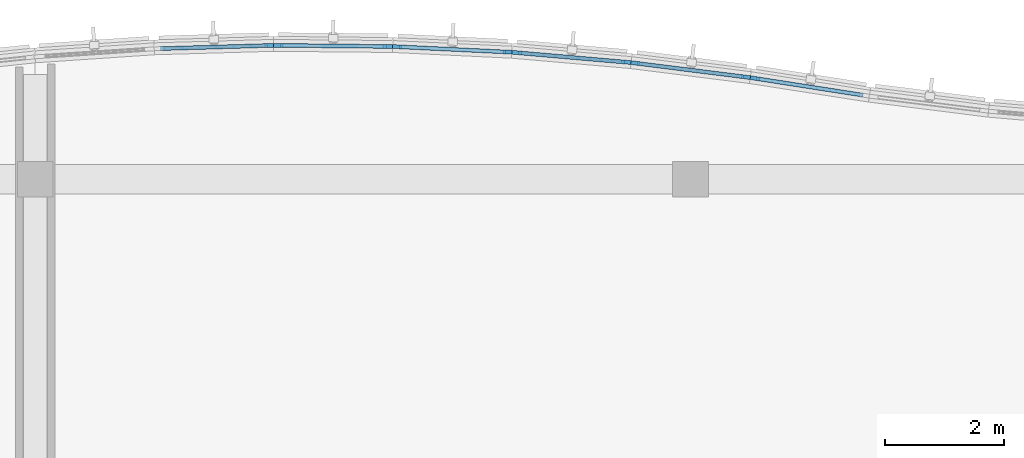
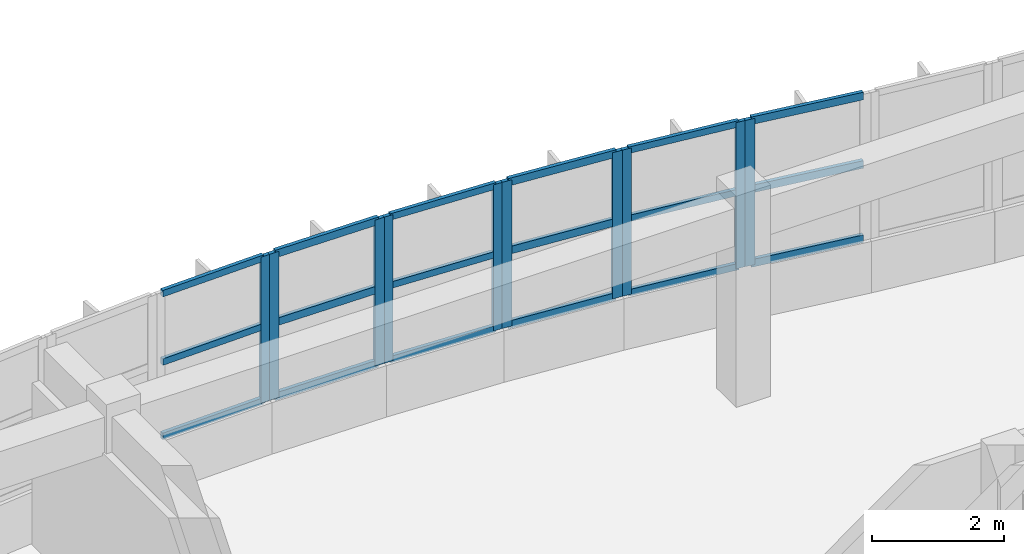
# One storey, part 27 of 89: 28 members, 6 elements without a shape of their own.
"""IFC4 building model written with IfcOpenShell, lengths in metres."""

import ifcopenshell
import ifcopenshell.guid

model = None  # the IFC model being written
_history = None  # IfcOwnerHistory: only IFC2X3 demands one
_inside = {}  # id of a spatial element -> (the spatial element, [elements in it])
_under = {}  # id of a project, library or spatial element -> (it, [spatial elements below it])
_declared = {}  # id of a project -> (the project, [libraries it declares])
_typed = {}  # id of a type object -> (the type object, [elements of that type])
_made_of = {}  # id of a material, layer set ... -> (it, [elements and type objects made of it])


def new_model(schema):
    """Start an empty IFC model of exactly this schema.

    Asked for "IFC4X3", IfcOpenShell would pick the latest addendum, in which some entities
    have other attributes; the version numbers below select the first issue.
    IFC2X3 requires an IfcOwnerHistory on every rooted entity: one is made here for all.
    """
    global model, _history
    if schema == "IFC4X3":
        model = ifcopenshell.file(schema_version=(4, 3, 0, 0))
    else:
        model = ifcopenshell.file(schema=schema)
    _inside.clear()
    _under.clear()
    _declared.clear()
    _typed.clear()
    _made_of.clear()
    _history = None
    if model.schema == "IFC2X3":
        org = make("IfcOrganization", Name="unknown")
        user = make(
            "IfcPersonAndOrganization",
            ThePerson=make("IfcPerson", FamilyName="unknown"),
            TheOrganization=org,
        )
        app = make(
            "IfcApplication",
            ApplicationDeveloper=org,
            Version="unknown",
            ApplicationFullName="unknown",
            ApplicationIdentifier="unknown",
        )
        _history = make(
            "IfcOwnerHistory",
            OwningUser=user,
            OwningApplication=app,
            ChangeAction="ADDED",
            CreationDate=0,
        )
    return model


def make(cls, **values):
    """One entity of the class cls with the attributes given. An attribute that is None is left unset."""
    return model.create_entity(
        cls, **{name: value for name, value in values.items() if value is not None}
    )


def rooted(cls, **values):
    """An entity with a GlobalId (a new one), such as an element, a storey or a relation."""
    return make(cls, GlobalId=ifcopenshell.guid.new(), OwnerHistory=_history, **values)


def si_unit(unit_type, name, prefix=None):
    """IfcSIUnit, for example si_unit("LENGTHUNIT", "METRE", prefix="MILLI")."""
    return make("IfcSIUnit", UnitType=unit_type, Prefix=prefix, Name=name)


def assignment(units):
    """IfcUnitAssignment: the units of a project."""
    return None if units is None else make("IfcUnitAssignment", Units=units)


def point(xyz):
    """IfcCartesianPoint."""
    return None if xyz is None else make("IfcCartesianPoint", Coordinates=xyz)


def direction(xyz):
    """IfcDirection."""
    return None if xyz is None else make("IfcDirection", DirectionRatios=xyz)


def frame(location, z_axis=None, x_axis=None):
    """IfcAxis2Placement3D, a coordinate frame: its origin and axes. An axis left out is left unset."""
    return make(
        "IfcAxis2Placement3D",
        Location=point(location),
        Axis=direction(z_axis),
        RefDirection=direction(x_axis),
    )


def frame_2d(location, x_axis=None):
    """IfcAxis2Placement2D, a coordinate frame in the plane: its origin and x axis."""
    return make(
        "IfcAxis2Placement2D", Location=point(location), RefDirection=direction(x_axis)
    )


def origin():
    """The frame at (0, 0, 0) with its axes left unset."""
    return frame((0.0, 0.0, 0.0))


def origin_2d():
    """The frame at (0, 0) in the plane with its x axis left unset."""
    return frame_2d((0.0, 0.0))


def place(relative_to, where):
    """IfcLocalPlacement: puts the frame where relative to a parent placement (None: the world)."""
    return make(
        "IfcLocalPlacement", PlacementRelTo=relative_to, RelativePlacement=where
    )


def context(
    kind, dimensions, precision=None, world=None, true_north=None, identifier=None
):
    """IfcGeometricRepresentationContext, for example the 3D "Model" context."""
    return make(
        "IfcGeometricRepresentationContext",
        ContextIdentifier=identifier,
        ContextType=kind,
        CoordinateSpaceDimension=dimensions,
        Precision=precision,
        WorldCoordinateSystem=world,
        TrueNorth=true_north,
    )


def subcontext(parent, identifier, kind, view, scale=None):
    """IfcGeometricRepresentationSubContext, for example "Body" below "Model"."""
    return make(
        "IfcGeometricRepresentationSubContext",
        ContextIdentifier=identifier,
        ContextType=kind,
        ParentContext=parent,
        TargetScale=scale,
        TargetView=view,
    )


def project(units=None, contexts=None):
    """IfcProject with its units and contexts."""
    return rooted(
        "IfcProject",
        Name="project",
        RepresentationContexts=contexts,
        UnitsInContext=assignment(units),
    )


def spatial(cls, under=None, at=None, **own):
    """A site, building, storey or space (cls), placed at a placement, below another one or the project."""
    s = rooted(cls, ObjectPlacement=at, **own)
    if under is not None:
        _under.setdefault(under.id(), (under, []))[1].append(s)
    return s


def profile(cls, at=None, kind="AREA", **sizes):
    """A parametric profile (cls). Its sizes go by their IFC names, for example OverallWidth=200.0."""
    return make(cls, ProfileType=kind, Position=at, **sizes)


def rectangle(**sizes):
    """IfcRectangleProfileDef."""
    return profile("IfcRectangleProfileDef", **sizes)


def extrude(swept, where, along, depth):
    """IfcExtrudedAreaSolid: the profile swept, set in the frame where, extruded along a direction by depth."""
    return make(
        "IfcExtrudedAreaSolid",
        SweptArea=swept,
        Position=where,
        ExtrudedDirection=direction(along),
        Depth=depth,
    )


def shape(context_of_items, identifier, shape_type, items):
    """IfcShapeRepresentation: the items that make up one representation, for example the "Body"."""
    return make(
        "IfcShapeRepresentation",
        ContextOfItems=context_of_items,
        RepresentationIdentifier=identifier,
        RepresentationType=shape_type,
        Items=items,
    )


def material(Name=None, Category=None):
    """IfcMaterial."""
    return make("IfcMaterial", Name=Name, Category=Category)


def layer(
    of_material, thickness, ventilated=None, Name=None, Category=None, Priority=None
):
    """IfcMaterialLayer: one layer of a wall or slab, of a material (None: an air gap)."""
    return make(
        "IfcMaterialLayer",
        Material=of_material,
        LayerThickness=thickness,
        IsVentilated=ventilated,
        Name=Name,
        Category=Category,
        Priority=Priority,
    )


def layer_set(layers, Name=None):
    """IfcMaterialLayerSet."""
    return make("IfcMaterialLayerSet", MaterialLayers=layers, LayerSetName=Name)


def material_profile(
    of_material, cross_section, Name=None, Category=None, Priority=None
):
    """IfcMaterialProfile: a cross section and its material."""
    return make(
        "IfcMaterialProfile",
        Name=Name,
        Material=of_material,
        Profile=cross_section,
        Priority=Priority,
        Category=Category,
    )


def profile_set(profiles, Name=None, composite=None):
    """IfcMaterialProfileSet."""
    return make(
        "IfcMaterialProfileSet",
        Name=Name,
        MaterialProfiles=profiles,
        CompositeProfile=composite,
    )


def made_of(thing, what):
    """Note that an element or type object is made of a material, layer set ...; save() writes the relation."""
    if what is not None:
        _made_of.setdefault(what.id(), (what, []))[1].append(thing)
    return thing


def type_object(cls, material=None, **own):
    """A type object (cls), such as IfcWallType, which elements share."""
    return made_of(rooted(cls, **own), material)


def element(
    cls,
    number,
    at=None,
    inside=None,
    cuts=None,
    type_object=None,
    material=None,
    context=None,
    identifier="Body",
    shape_type=None,
    held_by="IfcProductDefinitionShape",
    body=None,
    shapes=None,
    **own,
):
    """One element of the class cls, such as IfcWall. Its Tag is "e" and its number.

    at: its placement. inside: the storey or other place that contains it. cuts: it is an
    opening in that element (IfcRelVoidsElement). A single representation is given by context,
    identifier, shape_type and body (its items); several are given by shapes. held_by: the class
    of the entity that holds the representations. save() writes the other relations.
    """
    e = rooted(cls, Tag="e%d" % number, ObjectPlacement=at, **own)
    if body is not None:
        shapes = [shape(context, identifier, shape_type, body)]
    if shapes is not None:
        e.Representation = make(held_by, Representations=shapes)
    if inside is not None:
        _inside.setdefault(inside.id(), (inside, []))[1].append(e)
    if cuts is not None:
        rooted(
            "IfcRelVoidsElement", RelatingBuildingElement=cuts, RelatedOpeningElement=e
        )
    if type_object is not None:
        _typed.setdefault(type_object.id(), (type_object, []))[1].append(e)
    return made_of(e, material)


def aggregate(whole, parts):
    """IfcRelAggregates: a whole, such as a stair, and the parts it consists of."""
    return rooted("IfcRelAggregates", RelatingObject=whole, RelatedObjects=parts)


def save(model, path):
    """Write the relations noted so far, then the file.

    IfcRelAggregates (storeys below a building ...), IfcRelContainedInSpatialStructure (elements
    in a storey), IfcRelDefinesByType, IfcRelAssociatesMaterial and IfcRelDeclares: one each for
    every whole, place, type object, material and project.
    """
    for whole, parts in _under.values():
        aggregate(whole, parts)
    for where, things in _inside.values():
        rooted(
            "IfcRelContainedInSpatialStructure",
            RelatedElements=things,
            RelatingStructure=where,
        )
    for kind, things in _typed.values():
        rooted("IfcRelDefinesByType", RelatedObjects=things, RelatingType=kind)
    for what, things in _made_of.values():
        rooted("IfcRelAssociatesMaterial", RelatedObjects=things, RelatingMaterial=what)
    for by, libraries in _declared.values():
        rooted("IfcRelDeclares", RelatingContext=by, RelatedDefinitions=libraries)
    model.write(path)


model = new_model("IFC4")

# Units and contexts
model_context = context("Model", 3, precision=1e-05, world=origin(), true_north=direction((0.0, 1.0)))
body_context = subcontext(model_context, "Body", "Model", "MODEL_VIEW")
ifc_project = project(units=[si_unit("LENGTHUNIT", "METRE"), si_unit("AREAUNIT", "SQUARE_METRE"), si_unit("VOLUMEUNIT", "CUBIC_METRE"), si_unit("PLANEANGLEUNIT", "RADIAN"), si_unit("MASSUNIT", "GRAM", prefix="KILO")], contexts=[model_context])

# Site, building, storey
site_placement = place(None, origin())
site = spatial("IfcSite", under=ifc_project, at=site_placement, CompositionType="ELEMENT")
building_placement = place(site_placement, origin())
building = spatial("IfcBuilding", under=site, at=building_placement, Name="Tonlespit Floodbar School", CompositionType="ELEMENT")
storey_placement = place(building_placement, frame((0.0, 0.0, 4.5)))
storey = spatial("IfcBuildingStorey", under=building, at=storey_placement, Name="L01", CompositionType="ELEMENT", Elevation=4.5)

# Curtain wall, member
ifc_material = material(Name="Anodised Aluminium", Category="aluminium")
ifc_layer_1 = layer(ifc_material, 0.159912109375)
ifc_layer_set_1 = layer_set([ifc_layer_1], Name="Anodised Aluminium")
curtain_wall_type_1 = type_object("IfcCurtainWallType", Name="CurtainWall_1900x2700", PredefinedType="NOTDEFINED", material=ifc_layer_set_1)
curtain_wall_1_placement = place(storey_placement, origin())
curtain_wall_1 = element("IfcCurtainWall", 1, at=curtain_wall_1_placement, inside=storey, type_object=curtain_wall_type_1, Name="L01 unitised curtain wall 0378", PredefinedType="NOTDEFINED")
ifc_material_profile_1 = material_profile(ifc_material, rectangle(XDim=0.06494140625, YDim=0.14990234375, at=origin_2d()), Name="ALU M65x150")
ifc_profile_set_1 = profile_set([ifc_material_profile_1], Name="Anodised Aluminium")
member_type_1 = type_object("IfcMemberType", Name="CW_Mullion_65x150", PredefinedType="MULLION", material=ifc_profile_set_1)
member_1_placement = place(storey_placement, frame((119.927490234375, 122.244873046875, 0.949951171875), z_axis=(0.0, 0.0, 1.0), x_axis=(-0.028790144226, 0.999585477883, 0.0)))
member_1 = element("IfcMember", 2, at=member_1_placement, type_object=member_type_1, Name="CW-05 mullion 2", PredefinedType="MULLION", context=body_context, shape_type="SweptSolid", body=[
    extrude(rectangle(XDim=0.06494140625, YDim=0.14990234375, at=origin_2d()), origin(), (0.0, 0.0, 1.0), 2.699951171875),
])

# Curtain wall, members
curtain_wall_2_placement = place(storey_placement, origin())
curtain_wall_2 = element("IfcCurtainWall", 3, at=curtain_wall_2_placement, inside=storey, type_object=curtain_wall_type_1, Name="L01 unitised curtain wall 0380", PredefinedType="NOTDEFINED")
member_2_placement = place(storey_placement, frame((122.072509765625, 122.224365234375, 0.949951171875), z_axis=(0.0, 0.0, 1.0), x_axis=(0.048121270216, 0.998841500616, 0.0)))
member_2 = element("IfcMember", 4, at=member_2_placement, type_object=member_type_1, Name="CW-05 mullion 1", PredefinedType="MULLION", context=body_context, shape_type="SweptSolid", body=[
    extrude(rectangle(XDim=0.06494140625, YDim=0.14990234375, at=origin_2d()), origin(), (0.0, 0.0, 1.0), 2.699951171875),
])
member_3_placement = place(storey_placement, frame((123.927490234375, 122.135009765625, 0.949951171875), z_axis=(0.0, 0.0, 1.0), x_axis=(0.048121270216, 0.998841500616, 0.0)))
member_3 = element("IfcMember", 5, at=member_3_placement, type_object=member_type_1, Name="CW-05 mullion 2", PredefinedType="MULLION", context=body_context, shape_type="SweptSolid", body=[
    extrude(rectangle(XDim=0.06494140625, YDim=0.14990234375, at=origin_2d()), origin(), (0.0, 0.0, 1.0), 2.699951171875),
])

ifc_layer_2 = layer(ifc_material, 0.159912109375)
ifc_layer_set_2 = layer_set([ifc_layer_2], Name="Anodised Aluminium")
curtain_wall_type_2 = type_object("IfcCurtainWallType", Name="CurtainWall_1950x2700", PredefinedType="NOTDEFINED", material=ifc_layer_set_2)
curtain_wall_3_placement = place(storey_placement, origin())
curtain_wall_3 = element("IfcCurtainWall", 6, at=curtain_wall_3_placement, inside=storey, type_object=curtain_wall_type_2, Name="L01 unitised curtain wall 0382", PredefinedType="NOTDEFINED")
member_4_placement = place(storey_placement, frame((126.072021484375, 121.94873046875, 0.949951171875), z_axis=(0.0, 0.0, 1.0), x_axis=(0.125013803299, 0.992155002499, 0.0)))
member_4 = element("IfcMember", 7, at=member_4_placement, type_object=member_type_1, Name="CW-04 mullion 1", PredefinedType="MULLION", context=body_context, shape_type="SweptSolid", body=[
    extrude(rectangle(XDim=0.06494140625, YDim=0.14990234375, at=origin_2d()), origin(), (0.0, 0.0, 1.0), 2.699951171875),
])
member_5_placement = place(storey_placement, frame((127.927978515625, 121.71484375, 0.949951171875), z_axis=(0.0, 0.0, 1.0), x_axis=(0.125013803299, 0.992155002499, 0.0)))
member_5 = element("IfcMember", 8, at=member_5_placement, type_object=member_type_1, Name="CW-04 mullion 2", PredefinedType="MULLION", context=body_context, shape_type="SweptSolid", body=[
    extrude(rectangle(XDim=0.06494140625, YDim=0.14990234375, at=origin_2d()), origin(), (0.0, 0.0, 1.0), 2.699951171875),
])

curtain_wall_4_placement = place(storey_placement, origin())
curtain_wall_4 = element("IfcCurtainWall", 9, at=curtain_wall_4_placement, inside=storey, type_object=curtain_wall_type_1, Name="L01 unitised curtain wall 0379", PredefinedType="NOTDEFINED")
ifc_material_profile_2 = material_profile(ifc_material, rectangle(XDim=0.06494140625, YDim=0.179931640625, at=origin_2d()), Name="ALU M65x180")
ifc_profile_set_2 = profile_set([ifc_material_profile_2], Name="Anodised Aluminium")
member_type_2 = type_object("IfcMemberType", Name="CW_Mullion_65x180", PredefinedType="MULLION", material=ifc_profile_set_2)
member_6_placement = place(storey_placement, frame((120.072509765625, 122.246337890625, 0.949951171875), z_axis=(0.0, 0.0, 1.0), x_axis=(0.009582893292, 0.999954083024, 0.0)))
member_6 = element("IfcMember", 10, at=member_6_placement, type_object=member_type_2, Name="CW-05 mullion 1", PredefinedType="MULLION", context=body_context, shape_type="SweptSolid", body=[
    extrude(rectangle(XDim=0.06494140625, YDim=0.179931640625, at=origin_2d()), origin(), (0.0, 0.0, 1.0), 2.699951171875),
])
member_7_placement = place(storey_placement, frame((121.927490234375, 122.228515625, 0.949951171875), z_axis=(0.0, 0.0, 1.0), x_axis=(0.009582893292, 0.999954083024, 0.0)))
member_7 = element("IfcMember", 11, at=member_7_placement, type_object=member_type_2, Name="CW-05 mullion 2", PredefinedType="MULLION", context=body_context, shape_type="SweptSolid", body=[
    extrude(rectangle(XDim=0.06494140625, YDim=0.179931640625, at=origin_2d()), origin(), (0.0, 0.0, 1.0), 2.699951171875),
])

curtain_wall_5_placement = place(storey_placement, origin())
curtain_wall_5 = element("IfcCurtainWall", 12, at=curtain_wall_5_placement, inside=storey, type_object=curtain_wall_type_2, Name="L01 unitised curtain wall 0381", PredefinedType="NOTDEFINED")
member_8_placement = place(storey_placement, frame((124.072265625, 122.125244140625, 0.949951171875), z_axis=(0.0, 0.0, 1.0), x_axis=(0.086531117454, 0.996249148412, 0.0)))
member_8 = element("IfcMember", 13, at=member_8_placement, type_object=member_type_2, Name="CW-04 mullion 1", PredefinedType="MULLION", context=body_context, shape_type="SweptSolid", body=[
    extrude(rectangle(XDim=0.06494140625, YDim=0.179931640625, at=origin_2d()), origin(), (0.0, 0.0, 1.0), 2.699951171875),
])
member_9_placement = place(storey_placement, frame((125.927734375, 121.964111328125, 0.949951171875), z_axis=(0.0, 0.0, 1.0), x_axis=(0.086531117454, 0.996249148412, 0.0)))
member_9 = element("IfcMember", 14, at=member_9_placement, type_object=member_type_2, Name="CW-04 mullion 2", PredefinedType="MULLION", context=body_context, shape_type="SweptSolid", body=[
    extrude(rectangle(XDim=0.06494140625, YDim=0.179931640625, at=origin_2d()), origin(), (0.0, 0.0, 1.0), 2.699951171875),
])

# Curtain wall, member
curtain_wall_6_placement = place(storey_placement, origin())
curtain_wall_6 = element("IfcCurtainWall", 15, at=curtain_wall_6_placement, inside=storey, type_object=curtain_wall_type_2, Name="L01 unitised curtain wall 0383", PredefinedType="NOTDEFINED")
member_10_placement = place(storey_placement, frame((128.071533203125, 121.694580078125, 0.949951171875), z_axis=(0.0, 0.0, 1.0), x_axis=(0.153796288585, 0.988102576465, 0.0)))
member_10 = element("IfcMember", 16, at=member_10_placement, type_object=member_type_2, Name="CW-04 mullion 1", PredefinedType="MULLION", context=body_context, shape_type="SweptSolid", body=[
    extrude(rectangle(XDim=0.06494140625, YDim=0.179931640625, at=origin_2d()), origin(), (0.0, 0.0, 1.0), 2.699951171875),
])

# Member
ifc_material_profile_3 = material_profile(ifc_material, rectangle(XDim=0.06494140625, YDim=0.1201171875, at=origin_2d()), Name="ALU T65x120")
ifc_profile_set_3 = profile_set([ifc_material_profile_3], Name="Anodised Aluminium")
member_type_3 = type_object("IfcMemberType", Name="CW_Transom_65x120", PredefinedType="USERDEFINED", material=ifc_profile_set_3)
member_11_placement = place(storey_placement, frame((118.10498046875, 122.1923828125, 0.982421875), z_axis=(0.999586171543, 0.02876605049, 0.0), x_axis=(-0.02876605049, 0.999586171543, 0.0)))
member_11 = element("IfcMember", 17, at=member_11_placement, type_object=member_type_3, Name="CW-05 transom 1.1", ObjectType="TRANSOM", PredefinedType="USERDEFINED", context=body_context, shape_type="SweptSolid", body=[
    extrude(rectangle(XDim=0.06494140625, YDim=0.1201171875, at=origin_2d()), origin(), (0.0, 0.0, 1.0), 1.790771484375),
])

member_12_placement = place(storey_placement, frame((118.10498046875, 122.1923828125, 2.35400390625), z_axis=(0.999586171543, 0.02876605049, 0.0), x_axis=(-0.02876605049, 0.999586171543, 0.0)))
member_12 = element("IfcMember", 18, at=member_12_placement, type_object=member_type_3, Name="CW-05 transom 1.2", ObjectType="TRANSOM", PredefinedType="USERDEFINED", context=body_context, shape_type="SweptSolid", body=[
    extrude(rectangle(XDim=0.06494140625, YDim=0.1201171875, at=origin_2d()), origin(), (0.0, 0.0, 1.0), 1.790771484375),
])

member_13_placement = place(storey_placement, frame((118.10498046875, 122.1923828125, 3.617431640625), z_axis=(0.999586171543, 0.02876605049, 0.0), x_axis=(-0.02876605049, 0.999586171543, 0.0)))
member_13 = element("IfcMember", 19, at=member_13_placement, type_object=member_type_3, Name="CW-05 transom 1.3", ObjectType="TRANSOM", PredefinedType="USERDEFINED", context=body_context, shape_type="SweptSolid", body=[
    extrude(rectangle(XDim=0.06494140625, YDim=0.1201171875, at=origin_2d()), origin(), (0.0, 0.0, 1.0), 1.790771484375),
])

aggregate(curtain_wall_1, [member_1, member_11, member_12, member_13])

member_14_placement = place(storey_placement, frame((122.10498046875, 122.22265625, 0.982421875), z_axis=(0.998843034795, -0.048089415069, 0.0), x_axis=(0.048089415069, 0.998843034795, 0.0)))
member_14 = element("IfcMember", 20, at=member_14_placement, type_object=member_type_3, Name="CW-05 transom 1.1", ObjectType="TRANSOM", PredefinedType="USERDEFINED", context=body_context, shape_type="SweptSolid", body=[
    extrude(rectangle(XDim=0.06494140625, YDim=0.1201171875, at=origin_2d()), origin(), (0.0, 0.0, 1.0), 1.7919921875),
])

member_15_placement = place(storey_placement, frame((122.10498046875, 122.22265625, 2.35400390625), z_axis=(0.998843034795, -0.048089415069, 0.0), x_axis=(0.048089415069, 0.998843034795, 0.0)))
member_15 = element("IfcMember", 21, at=member_15_placement, type_object=member_type_3, Name="CW-05 transom 1.2", ObjectType="TRANSOM", PredefinedType="USERDEFINED", context=body_context, shape_type="SweptSolid", body=[
    extrude(rectangle(XDim=0.06494140625, YDim=0.1201171875, at=origin_2d()), origin(), (0.0, 0.0, 1.0), 1.7919921875),
])

member_16_placement = place(storey_placement, frame((122.10498046875, 122.22265625, 3.617431640625), z_axis=(0.998843034795, -0.048089415069, 0.0), x_axis=(0.048089415069, 0.998843034795, 0.0)))
member_16 = element("IfcMember", 22, at=member_16_placement, type_object=member_type_3, Name="CW-05 transom 1.3", ObjectType="TRANSOM", PredefinedType="USERDEFINED", context=body_context, shape_type="SweptSolid", body=[
    extrude(rectangle(XDim=0.06494140625, YDim=0.1201171875, at=origin_2d()), origin(), (0.0, 0.0, 1.0), 1.7919921875),
])

aggregate(curtain_wall_2, [member_2, member_3, member_14, member_15, member_16])

member_17_placement = place(storey_placement, frame((126.104248046875, 121.944580078125, 0.982421875), z_axis=(0.992148373735, -0.125066400341, 0.0), x_axis=(0.125066400341, 0.992148373735, 0.0)))
member_17 = element("IfcMember", 23, at=member_17_placement, type_object=member_type_3, Name="CW-04 transom 1.1", ObjectType="TRANSOM", PredefinedType="USERDEFINED", context=body_context, shape_type="SweptSolid", body=[
    extrude(rectangle(XDim=0.06494140625, YDim=0.1201171875, at=origin_2d()), origin(), (0.0, 0.0, 1.0), 1.8056640625),
])

member_18_placement = place(storey_placement, frame((126.104248046875, 121.944580078125, 2.35400390625), z_axis=(0.992148373735, -0.125066400341, 0.0), x_axis=(0.125066400341, 0.992148373735, 0.0)))
member_18 = element("IfcMember", 24, at=member_18_placement, type_object=member_type_3, Name="CW-04 transom 1.2", ObjectType="TRANSOM", PredefinedType="USERDEFINED", context=body_context, shape_type="SweptSolid", body=[
    extrude(rectangle(XDim=0.06494140625, YDim=0.1201171875, at=origin_2d()), origin(), (0.0, 0.0, 1.0), 1.8056640625),
])

member_19_placement = place(storey_placement, frame((126.104248046875, 121.944580078125, 3.617431640625), z_axis=(0.992148373735, -0.125066400341, 0.0), x_axis=(0.125066400341, 0.992148373735, 0.0)))
member_19 = element("IfcMember", 25, at=member_19_placement, type_object=member_type_3, Name="CW-04 transom 1.3", ObjectType="TRANSOM", PredefinedType="USERDEFINED", context=body_context, shape_type="SweptSolid", body=[
    extrude(rectangle(XDim=0.06494140625, YDim=0.1201171875, at=origin_2d()), origin(), (0.0, 0.0, 1.0), 1.8056640625),
])

aggregate(curtain_wall_3, [member_4, member_5, member_17, member_18, member_19])

ifc_material_profile_4 = material_profile(ifc_material, rectangle(XDim=0.06494140625, YDim=0.139892578125, at=origin_2d()), Name="ALU T65x140")
ifc_profile_set_4 = profile_set([ifc_material_profile_4], Name="Anodised Aluminium")
member_type_4 = type_object("IfcMemberType", Name="CW_Transom_65x140", PredefinedType="USERDEFINED", material=ifc_profile_set_4)
member_20_placement = place(storey_placement, frame((120.10498046875, 122.24609375, 0.982421875), z_axis=(0.999953117448, -0.009683124842, 0.0), x_axis=(0.009683124842, 0.999953117448, 0.0)))
member_20 = element("IfcMember", 26, at=member_20_placement, type_object=member_type_4, Name="CW-05 transom 1.1", ObjectType="TRANSOM", PredefinedType="USERDEFINED", context=body_context, shape_type="SweptSolid", body=[
    extrude(rectangle(XDim=0.06494140625, YDim=0.139892578125, at=origin_2d()), origin(), (0.0, 0.0, 1.0), 1.7900390625),
])

member_21_placement = place(storey_placement, frame((120.10498046875, 122.24609375, 2.35400390625), z_axis=(0.999953117448, -0.009683124842, 0.0), x_axis=(0.009683124842, 0.999953117448, 0.0)))
member_21 = element("IfcMember", 27, at=member_21_placement, type_object=member_type_4, Name="CW-05 transom 1.2", ObjectType="TRANSOM", PredefinedType="USERDEFINED", context=body_context, shape_type="SweptSolid", body=[
    extrude(rectangle(XDim=0.06494140625, YDim=0.139892578125, at=origin_2d()), origin(), (0.0, 0.0, 1.0), 1.7900390625),
])

member_22_placement = place(storey_placement, frame((120.10498046875, 122.24609375, 3.617431640625), z_axis=(0.999953117448, -0.009683124842, 0.0), x_axis=(0.009683124842, 0.999953117448, 0.0)))
member_22 = element("IfcMember", 28, at=member_22_placement, type_object=member_type_4, Name="CW-05 transom 1.3", ObjectType="TRANSOM", PredefinedType="USERDEFINED", context=body_context, shape_type="SweptSolid", body=[
    extrude(rectangle(XDim=0.06494140625, YDim=0.139892578125, at=origin_2d()), origin(), (0.0, 0.0, 1.0), 1.7900390625),
])

aggregate(curtain_wall_4, [member_6, member_7, member_20, member_21, member_22])

member_23_placement = place(storey_placement, frame((124.1044921875, 122.122314453125, 0.982421875), z_axis=(0.996251281774, -0.086506552139, 0.0), x_axis=(0.086506552139, 0.996251281774, 0.0)))
member_23 = element("IfcMember", 29, at=member_23_placement, type_object=member_type_4, Name="CW-04 transom 1.1", ObjectType="TRANSOM", PredefinedType="USERDEFINED", context=body_context, shape_type="SweptSolid", body=[
    extrude(rectangle(XDim=0.06494140625, YDim=0.139892578125, at=origin_2d()), origin(), (0.0, 0.0, 1.0), 1.7978515625),
])

member_24_placement = place(storey_placement, frame((124.1044921875, 122.122314453125, 2.35400390625), z_axis=(0.996251281774, -0.086506552139, 0.0), x_axis=(0.086506552139, 0.996251281774, 0.0)))
member_24 = element("IfcMember", 30, at=member_24_placement, type_object=member_type_4, Name="CW-04 transom 1.2", ObjectType="TRANSOM", PredefinedType="USERDEFINED", context=body_context, shape_type="SweptSolid", body=[
    extrude(rectangle(XDim=0.06494140625, YDim=0.139892578125, at=origin_2d()), origin(), (0.0, 0.0, 1.0), 1.7978515625),
])

member_25_placement = place(storey_placement, frame((124.1044921875, 122.122314453125, 3.617431640625), z_axis=(0.996251281774, -0.086506552139, 0.0), x_axis=(0.086506552139, 0.996251281774, 0.0)))
member_25 = element("IfcMember", 31, at=member_25_placement, type_object=member_type_4, Name="CW-04 transom 1.3", ObjectType="TRANSOM", PredefinedType="USERDEFINED", context=body_context, shape_type="SweptSolid", body=[
    extrude(rectangle(XDim=0.06494140625, YDim=0.139892578125, at=origin_2d()), origin(), (0.0, 0.0, 1.0), 1.7978515625),
])

aggregate(curtain_wall_5, [member_8, member_9, member_23, member_24, member_25])

member_26_placement = place(storey_placement, frame((128.103759765625, 121.689453125, 0.982421875), z_axis=(0.988097838313, -0.15382672694, 0.0), x_axis=(0.15382672694, 0.988097838313, 0.0)))
member_26 = element("IfcMember", 32, at=member_26_placement, type_object=member_type_4, Name="CW-04 transom 1.1", ObjectType="TRANSOM", PredefinedType="USERDEFINED", context=body_context, shape_type="SweptSolid", body=[
    extrude(rectangle(XDim=0.06494140625, YDim=0.139892578125, at=origin_2d()), origin(), (0.0, 0.0, 1.0), 1.81396484375),
])

member_27_placement = place(storey_placement, frame((128.103759765625, 121.689453125, 2.35400390625), z_axis=(0.988097838313, -0.15382672694, 0.0), x_axis=(0.15382672694, 0.988097838313, 0.0)))
member_27 = element("IfcMember", 33, at=member_27_placement, type_object=member_type_4, Name="CW-04 transom 1.2", ObjectType="TRANSOM", PredefinedType="USERDEFINED", context=body_context, shape_type="SweptSolid", body=[
    extrude(rectangle(XDim=0.06494140625, YDim=0.139892578125, at=origin_2d()), origin(), (0.0, 0.0, 1.0), 1.81396484375),
])

member_28_placement = place(storey_placement, frame((128.103759765625, 121.689453125, 3.617431640625), z_axis=(0.988097838313, -0.15382672694, 0.0), x_axis=(0.15382672694, 0.988097838313, 0.0)))
member_28 = element("IfcMember", 34, at=member_28_placement, type_object=member_type_4, Name="CW-04 transom 1.3", ObjectType="TRANSOM", PredefinedType="USERDEFINED", context=body_context, shape_type="SweptSolid", body=[
    extrude(rectangle(XDim=0.06494140625, YDim=0.139892578125, at=origin_2d()), origin(), (0.0, 0.0, 1.0), 1.81396484375),
])

aggregate(curtain_wall_6, [member_10, member_26, member_27, member_28])

save(model, "model.ifc")
